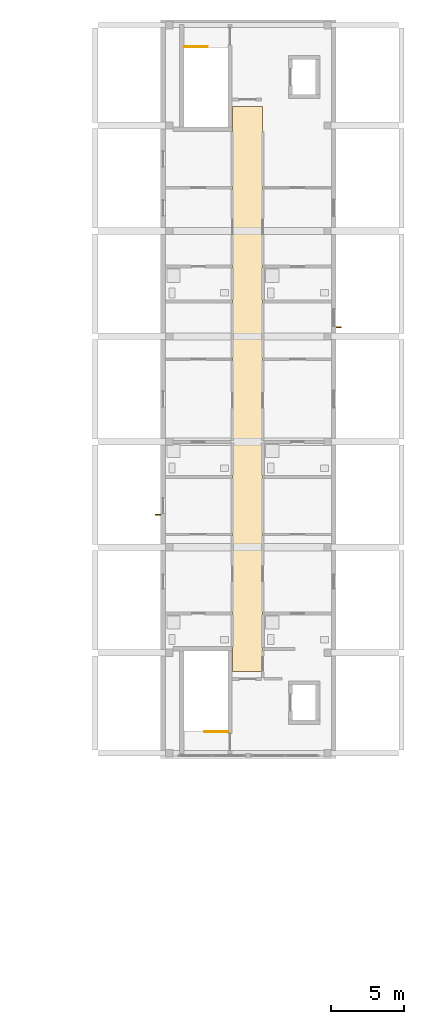
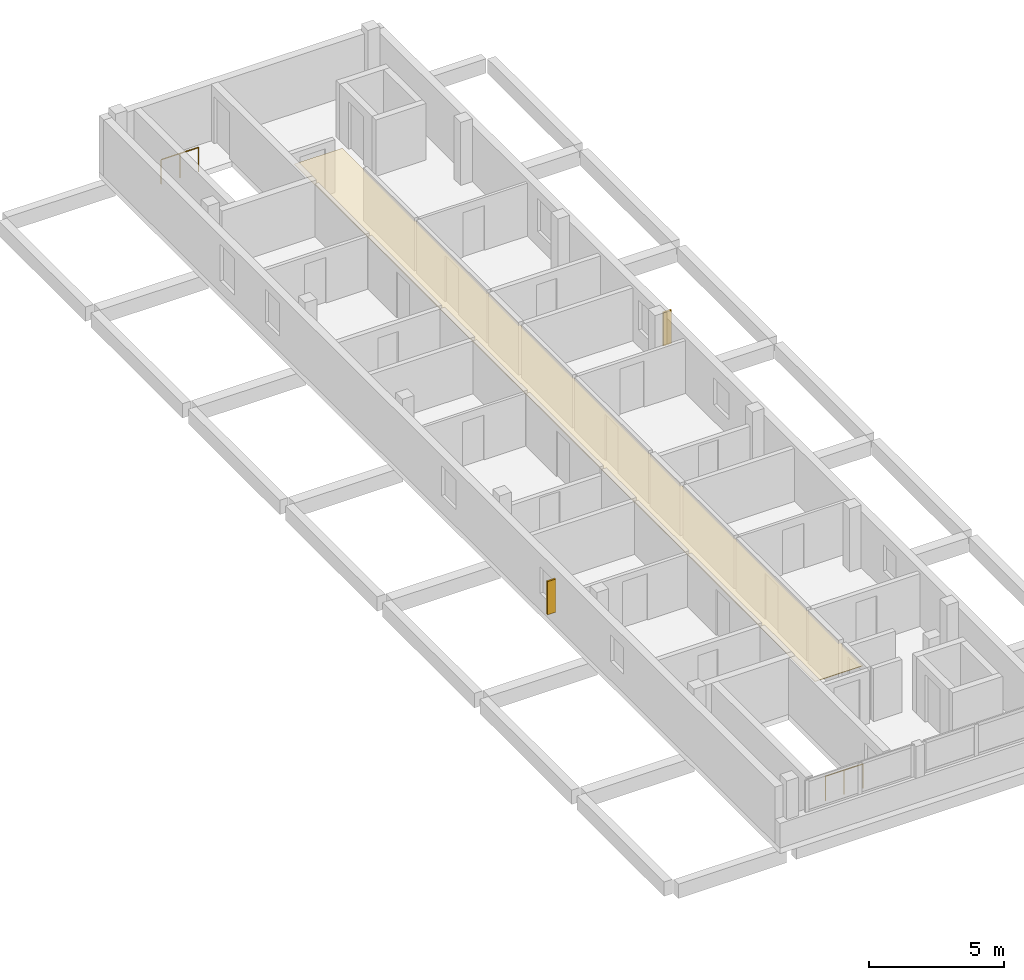
# One storey, part 15 of 16: 2 railings, 2 shading devices, 1 covering.
"""IFC4 building model written with IfcOpenShell, lengths in metres."""

from ifc_helpers import new_model, si_unit, derived_unit, direction, frame, origin, origin_2d, place, context, subcontext, project, spatial, polyline, rectangle, circle, outline, extrude, material, layer, layer_set, type_object, element, save


model = new_model("IFC4")

# Units and contexts
model_context = context("Model", 3, precision=1e-05, world=origin(), true_north=direction((0.0, 1.0)))
body_context = subcontext(model_context, "Body", "Model", "MODEL_VIEW")
ifc_project = project(units=[si_unit("LENGTHUNIT", "METRE"), si_unit("AREAUNIT", "SQUARE_METRE"), si_unit("VOLUMEUNIT", "CUBIC_METRE"), si_unit("PLANEANGLEUNIT", "RADIAN"), si_unit("MASSUNIT", "GRAM", prefix="KILO"), derived_unit("THERMALTRANSMITTANCEUNIT", [(si_unit("MASSUNIT", "GRAM", prefix="KILO"), 1), (si_unit("TIMEUNIT", "SECOND"), -3), (si_unit("THERMODYNAMICTEMPERATUREUNIT", "KELVIN"), -1)])], contexts=[model_context])

# Site, building, storey
site_placement = place(None, origin())
site = spatial("IfcSite", under=ifc_project, at=site_placement, CompositionType="ELEMENT")
building_placement = place(site_placement, origin())
building = spatial("IfcBuilding", under=site, at=building_placement, Name="Ochrekiln Boulevard Commons", CompositionType="ELEMENT")
storey_placement = place(building_placement, frame((0.0, 0.0, 40.425048828125)))
storey = spatial("IfcBuildingStorey", under=building, at=storey_placement, Name="L12", CompositionType="ELEMENT", Elevation=40.425048828125)

# Covering
ifc_material_1 = material(Name="Mineral-fibre acoustic ceiling tile")
ifc_layer = layer(ifc_material_1, 0.02490234375)
ifc_layer_set = layer_set([ifc_layer], Name="Mineral-fibre acoustic ceiling tile")
covering_type = type_object("IfcCoveringType", Name="COV-CEIL-AC", PredefinedType="CEILING", material=ifc_layer_set)
covering_placement = place(storey_placement, frame((0.0, 0.0, 2.199951171875)))
element("IfcCovering", 1, at=covering_placement, inside=storey, type_object=covering_type, Name="L12 Acoustic Corridor Ceiling 72", PredefinedType="CEILING", context=body_context, shape_type="SweptSolid", body=[
    extrude(outline(polyline([(160.919921875, 74.320068359375), (162.97998046875, 74.320068359375), (162.97998046875, 112.8798828125), (160.919921875, 112.8798828125), (160.919921875, 74.320068359375)])), origin(), (0.0, 0.0, 1.0), 0.02490234375),
])

# Railings
ifc_material_2 = material(Name="Brushed stainless steel 316 tubular railing", Category="steel")
railing_type = type_object("IfcRailingType", Name="RLG-STR-1120", PredefinedType="BALUSTRADE", material=ifc_material_2)
railing_1_placement = place(storey_placement, frame((160.60009765625, 70.219970703125, 0.0)))
element("IfcRailing", 2, at=railing_1_placement, inside=storey, type_object=railing_type, Name="L12 ST-B1 top well guard 1", PredefinedType="BALUSTRADE", context=body_context, shape_type="SweptSolid", body=[
    extrude(circle(Radius=0.02392578125, at=origin_2d()), frame((0.0, 0.0, 1.09619140625), z_axis=(-1.0, 0.0, 0.0), x_axis=(0.0, -1.0, 0.0)), (0.0, 0.0, 1.0), 1.60009765625),
    extrude(circle(Radius=0.02099609375, at=origin_2d()), origin(), (0.0, 0.0, 1.0), 1.072021484375),
    extrude(circle(Radius=0.02099609375, at=origin_2d()), frame((-0.800048828125, 0.0, 0.0)), (0.0, 0.0, 1.0), 1.072021484375),
    extrude(circle(Radius=0.02099609375, at=origin_2d()), frame((-1.60009765625, 0.0, 0.0)), (0.0, 0.0, 1.0), 1.072021484375),
])
railing_2_placement = place(storey_placement, frame((157.60009765625, 116.97998046875, 0.0)))
element("IfcRailing", 3, at=railing_2_placement, inside=storey, type_object=railing_type, Name="L12 ST-B2 top well guard 1", PredefinedType="BALUSTRADE", context=body_context, shape_type="SweptSolid", body=[
    extrude(circle(Radius=0.02392578125, at=origin_2d()), frame((0.0, 0.0, 1.09619140625), z_axis=(1.0, 0.0, 0.0), x_axis=(0.0, 1.0, 0.0)), (0.0, 0.0, 1.0), 1.599853515625),
    extrude(circle(Radius=0.02099609375, at=origin_2d()), origin(), (0.0, 0.0, 1.0), 1.072021484375),
    extrude(circle(Radius=0.02099609375, at=origin_2d()), frame((0.7998046875, 0.0, 0.0)), (0.0, 0.0, 1.0), 1.072021484375),
    extrude(circle(Radius=0.02099609375, at=origin_2d()), frame((1.599853515625, 0.0, 0.0)), (0.0, 0.0, 1.0), 1.072021484375),
])

# Shading devices
ifc_material_3 = material(Name="Glazed architectural terracotta ASTM C1405", Category="masonry")
shading_device_type = type_object("IfcShadingDeviceType", Name="SHD-FIN-TERRA", PredefinedType="JALOUSIE", material=ifc_material_3)
for number, where, z_axis, x_axis, name in (
    (4, (155.830078125, 85.035888671875, 0.599853515625), (0.0, 0.0, 1.0), (1.0, 0.0, 0.0), "Terracotta Solar Shading Fin SF-01 (51)"),
    (5, (168.169921875, 97.826904296875, 0.675048828125), (0.0, 0.0, 1.0), (1.0, 0.0, 0.0), "Terracotta Solar Shading Fin SF-01 (52)"),
):
    element("IfcShadingDevice", number, at=place(storey_placement, frame(where, z_axis=z_axis, x_axis=x_axis)), inside=storey, type_object=shading_device_type, Name=name, PredefinedType="JALOUSIE", context=body_context, shape_type="SweptSolid", body=[
        extrude(rectangle(XDim=0.35009765625, YDim=0.080078125, at=origin_2d()), origin(), (0.0, 0.0, 1.0), 1.5),
    ])

save(model, "model.ifc")
